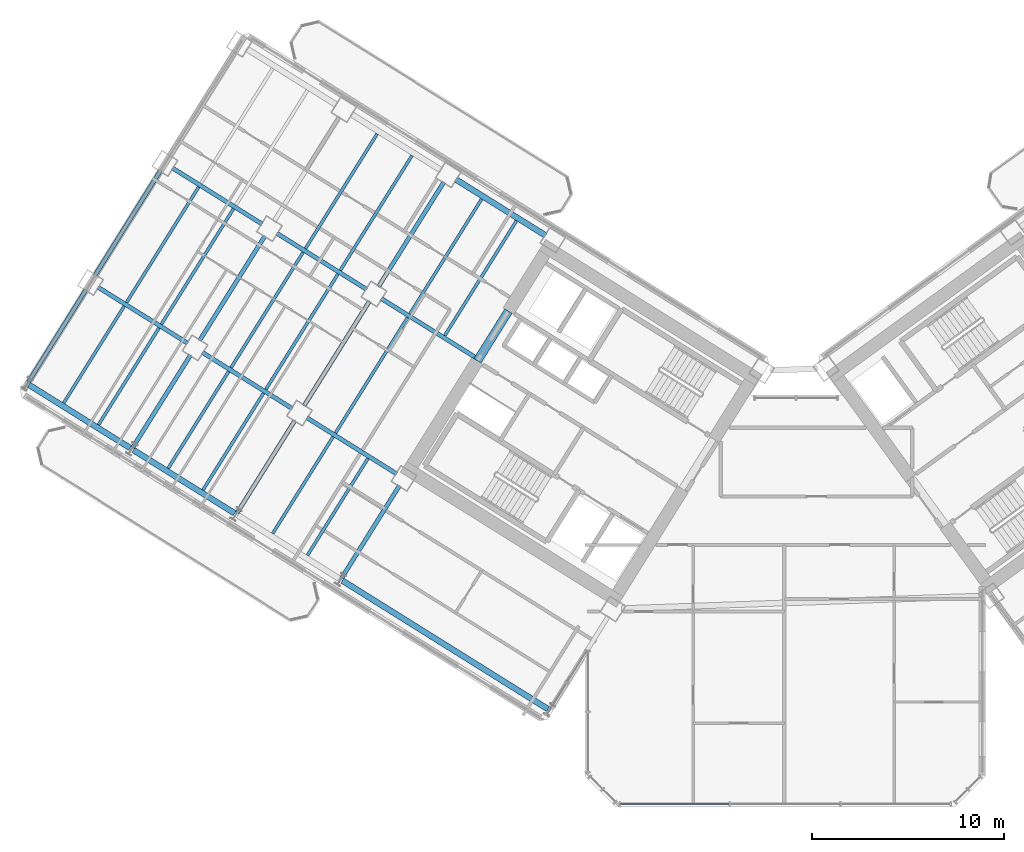
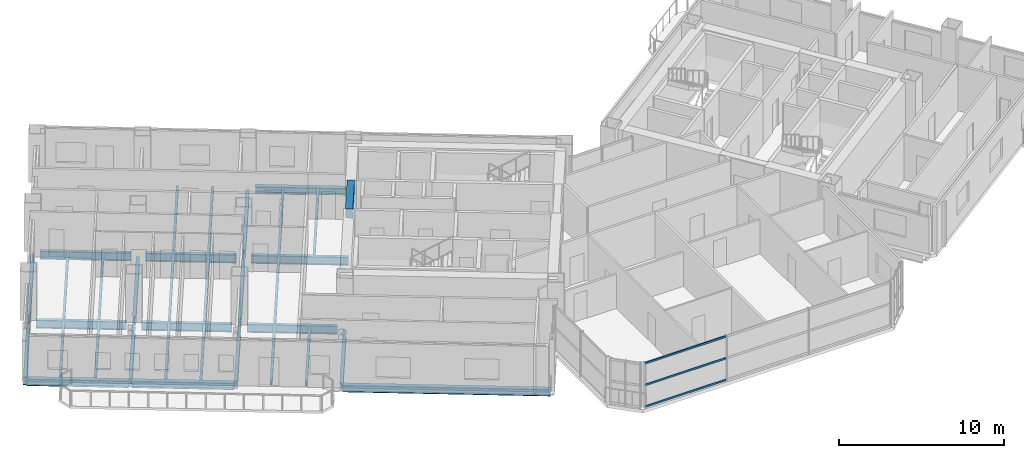
# One storey, part 6 of 28: 34 beams, 3 members, 1 element without a shape of its own.
"""IFC4 building model written with IfcOpenShell, lengths in metres."""

from ifc_helpers import new_model, si_unit, direction, frame, origin, origin_2d, place, context, subcontext, project, spatial, rectangle, hollow_rectangle, i_section, extrude, source, transform, mapped, material, material_profile, profile_set, type_object, element, aggregate, save


model = new_model("IFC4")

# Units and contexts
model_context = context("Model", 3, precision=1e-05, world=origin(), true_north=direction((0.0, 1.0)))
body_context = subcontext(model_context, "Body", "Model", "MODEL_VIEW")
ifc_project = project(units=[si_unit("LENGTHUNIT", "METRE"), si_unit("AREAUNIT", "SQUARE_METRE"), si_unit("VOLUMEUNIT", "CUBIC_METRE"), si_unit("PLANEANGLEUNIT", "RADIAN"), si_unit("MASSUNIT", "GRAM", prefix="KILO")], contexts=[model_context])

# Site, building, storey
site_placement = place(None, origin())
site = spatial("IfcSite", under=ifc_project, at=site_placement, CompositionType="ELEMENT")
building_placement = place(site_placement, origin())
building = spatial("IfcBuilding", under=site, at=building_placement, Name="Tlacorven Tower", CompositionType="ELEMENT")
storey_placement = place(building_placement, frame((0.0, 0.0, 27.60009765625)))
storey = spatial("IfcBuildingStorey", under=building, at=storey_placement, Name="L06", CompositionType="ELEMENT", Elevation=27.60009765625)

# Beams
ifc_material_1 = material(Name="Concrete C60/75", Category="concrete")
ifc_material_profile_1 = material_profile(ifc_material_1, rectangle(XDim=0.449951171875, YDim=0.699951171875, at=origin_2d()), Name="RC 450X700")
ifc_profile_set_1 = profile_set([ifc_material_profile_1], Name="Concrete C60/75")
beam_type_1 = type_object("IfcBeamType", Name="BM-LNT-700", PredefinedType="LINTEL", material=ifc_profile_set_1)
shared_shape_1 = source(origin(), body_context, "Body", "SweptSolid", [
    extrude(rectangle(XDim=0.449951171875, YDim=0.699951171875, at=origin_2d()), origin(), (0.0, 0.0, 1.0), 3.0498046875),
])
beam_1_placement = place(storey_placement, frame((27.622802734375, 27.562255859375, 3.0), z_axis=(-0.529926983584, -0.848043272522, 0.0), x_axis=(0.848043272522, -0.529926983584, 0.0)))
element("IfcBeam", 1, at=beam_1_placement, inside=storey, type_object=beam_type_1, Name="L06 W core coupling lintel beam E2", PredefinedType="LINTEL", context=body_context, shape_type="MappedRepresentation", body=[
    mapped(shared_shape_1, transform((0.0, 0.0, 0.0), scale=1.0)),
])
ifc_material_2 = material(Name="Steel S355J2", Category="steel")
ifc_material_profile_2 = material_profile(ifc_material_2, i_section(OverallWidth=0.300048828125, OverallDepth=0.489990234375, WebThickness=0.011962890625, FlangeThickness=0.02294921875, at=origin_2d()), Name="HEA 500")
ifc_profile_set_2 = profile_set([ifc_material_profile_2], Name="Steel S355J2")
beam_type_2 = type_object("IfcBeamType", Name="BM-SPN-500", PredefinedType="SPANDREL", material=ifc_profile_set_2)
shared_shape_2 = source(origin(), body_context, "Body", "SweptSolid", [
    extrude(i_section(OverallWidth=0.300048828125, OverallDepth=0.489990234375, WebThickness=0.011962890625, FlangeThickness=0.02294921875, at=origin_2d()), origin(), (0.0, 0.0, 1.0), 5.5),
])
beam_2_placement = place(storey_placement, frame((29.54638671875, 31.48974609375, -0.4951171875), z_axis=(-0.848050668838, 0.52991514706, 0.0), x_axis=(-0.52991514706, -0.848050668838, 0.0)))
element("IfcBeam", 2, at=beam_2_placement, inside=storey, type_object=beam_type_2, Name="L06 beam BM-L06-WL1-3", PredefinedType="SPANDREL", context=body_context, shape_type="MappedRepresentation", body=[
    mapped(shared_shape_2, transform((0.0, 0.0, 0.0), scale=1.0)),
])
ifc_material_profile_3 = material_profile(ifc_material_2, i_section(OverallWidth=0.219970703125, OverallDepth=0.60009765625, WebThickness=0.011962890625, FlangeThickness=0.01904296875, at=origin_2d()), Name="IPE 600")
ifc_profile_set_3 = profile_set([ifc_material_profile_3], Name="Steel S355J2")
beam_type_3 = type_object("IfcBeamType", Name="BM-TWR-600", PredefinedType="BEAM", material=ifc_profile_set_3)
shared_shape_3 = source(origin(), body_context, "Body", "SweptSolid", [
    extrude(i_section(OverallWidth=0.219970703125, OverallDepth=0.60009765625, WebThickness=0.011962890625, FlangeThickness=0.01904296875, at=origin_2d()), origin(), (0.0, 0.0, 1.0), 5.909912109375),
])
beam_3_placement = place(storey_placement, frame((26.025634765625, 25.081787109375, -0.550048828125), z_axis=(-0.848047036595, 0.529920959883, 0.0), x_axis=(-0.529920959883, -0.848047036595, 0.0)))
element("IfcBeam", 3, at=beam_3_placement, inside=storey, type_object=beam_type_3, Name="L06 beam BM-L06-WL2-3", PredefinedType="BEAM", context=body_context, shape_type="MappedRepresentation", body=[
    mapped(shared_shape_3, transform((0.0, 0.0, 0.0), scale=1.0)),
])
shared_shape_4 = source(origin(), body_context, "Body", "SweptSolid", [
    extrude(i_section(OverallWidth=0.219970703125, OverallDepth=0.60009765625, WebThickness=0.011962890625, FlangeThickness=0.01904296875, at=origin_2d()), origin(), (0.0, 0.0, 1.0), 5.5),
])
for number, where, z_axis, x_axis, name in (
    (4, (20.25048828125, 28.690673828125, -0.550048828125), (-0.848050668838, 0.52991514706, 0.0), (-0.52991514706, -0.848050668838, 0.0), "L06 beam BM-L06-WL2-4"),
    (5, (14.822998046875, 32.08203125, -0.550048828125), (-0.848050668838, 0.52991514706, 0.0), (-0.52991514706, -0.848050668838, 0.0), "L06 beam BM-L06-WL2-5"),
    (6, (21.8095703125, 19.1083984375, -0.550048828125), (-0.848050668838, 0.52991514706, 0.0), (-0.52991514706, -0.848050668838, 0.0), "L06 beam BM-L06-WL3-3"),
    (7, (16.382080078125, 22.499755859375, -0.550048828125), (-0.848050668838, 0.52991514706, 0.0), (-0.52991514706, -0.848050668838, 0.0), "L06 beam BM-L06-WL3-4"),
    (8, (10.95458984375, 25.891357421875, -0.550048828125), (-0.848050668838, 0.52991514706, 0.0), (-0.52991514706, -0.848050668838, 0.0), "L06 beam BM-L06-WL3-5"),
):
    element("IfcBeam", number, at=place(storey_placement, frame(where, z_axis=z_axis, x_axis=x_axis)), inside=storey, type_object=beam_type_3, Name=name, PredefinedType="BEAM", context=body_context, shape_type="MappedRepresentation", body=[
        mapped(shared_shape_4, transform((0.0, 0.0, 0.0), scale=1.0)),
    ])
shared_shape_5 = source(origin(), body_context, "Body", "SweptSolid", [
    extrude(i_section(OverallWidth=0.300048828125, OverallDepth=0.489990234375, WebThickness=0.011962890625, FlangeThickness=0.02294921875, at=origin_2d()), origin(), (0.0, 0.0, 1.0), 12.599853515625),
])
beam_4_placement = place(storey_placement, frame((29.67578125, 6.882080078125, -0.4951171875), z_axis=(-0.848045108756, 0.529924045043, 0.0), x_axis=(-0.529924045043, -0.848045108756, 0.0)))
element("IfcBeam", 9, at=beam_4_placement, inside=storey, type_object=beam_type_2, Name="L06 beam BM-L06-WL4-1", PredefinedType="SPANDREL", context=body_context, shape_type="MappedRepresentation", body=[
    mapped(shared_shape_5, transform((0.0, 0.0, 0.0), scale=1.0)),
])
shared_shape_6 = source(origin(), body_context, "Body", "SweptSolid", [
    extrude(i_section(OverallWidth=0.300048828125, OverallDepth=0.489990234375, WebThickness=0.011962890625, FlangeThickness=0.02294921875, at=origin_2d()), origin(), (0.0, 0.0, 1.0), 6.199951171875),
])
for number, where, z_axis, x_axis, name in (
    (10, (13.393310546875, 17.056396484375, -0.4951171875), (-0.848033697614, 0.529942306022, 0.0), (-0.529942306022, -0.848033697614, 0.0), "L06 beam BM-L06-WL4-4"),
    (11, (7.9658203125, 20.447998046875, -0.4951171875), (-0.848051394107, 0.529913986372, 0.0), (-0.529913986372, -0.848051394107, 0.0), "L06 beam BM-L06-WL4-5"),
):
    element("IfcBeam", number, at=place(storey_placement, frame(where, z_axis=z_axis, x_axis=x_axis)), inside=storey, type_object=beam_type_2, Name=name, PredefinedType="SPANDREL", context=body_context, shape_type="MappedRepresentation", body=[
        mapped(shared_shape_6, transform((0.0, 0.0, 0.0), scale=1.0)),
    ])
shared_shape_7 = source(origin(), body_context, "Body", "SweptSolid", [
    extrude(i_section(OverallWidth=0.219970703125, OverallDepth=0.60009765625, WebThickness=0.011962890625, FlangeThickness=0.01904296875, at=origin_2d()), origin(), (0.0, 0.0, 1.0), 5.650146484375),
])
for number, where, z_axis, x_axis, name in (
    (12, (21.95263671875, 18.48828125, -0.550048828125), (-0.529929025184, -0.848041996759, 0.0), (0.848041996759, -0.529929025184, 0.0), "L06 beam BM-L06-WT3-2"),
    (13, (16.525146484375, 21.879638671875, -0.550048828125), (-0.529929025184, -0.848041996759, 0.0), (0.848041996759, -0.529929025184, 0.0), "L06 beam BM-L06-WT4-3"),
    (14, (11.09765625, 25.271240234375, -0.550048828125), (-0.529929025184, -0.848041996759, 0.0), (0.848041996759, -0.529929025184, 0.0), "L06 beam BM-L06-WT5-3"),
    (15, (5.670166015625, 28.66259765625, -0.550048828125), (-0.529929025184, -0.848041996759, 0.0), (0.848041996759, -0.529929025184, 0.0), "L06 beam BM-L06-WT6-3"),
):
    element("IfcBeam", number, at=place(storey_placement, frame(where, z_axis=z_axis, x_axis=x_axis)), inside=storey, type_object=beam_type_3, Name=name, PredefinedType="BEAM", context=body_context, shape_type="MappedRepresentation", body=[
        mapped(shared_shape_7, transform((0.0, 0.0, 0.0), scale=1.0)),
    ])
shared_shape_8 = source(origin(), body_context, "Body", "SweptSolid", [
    extrude(i_section(OverallWidth=0.219970703125, OverallDepth=0.60009765625, WebThickness=0.011962890625, FlangeThickness=0.01904296875, at=origin_2d()), origin(), (0.0, 0.0, 1.0), 6.39990234375),
])
for number, where, z_axis, x_axis, name in (
    (16, (24.261962890625, 34.26123046875, -0.550048828125), (-0.529906354247, -0.848056163074, 0.0), (0.848056163074, -0.529906354247, 0.0), "L06 beam BM-L06-WT4-1"),
    (17, (20.3935546875, 28.070556640625, -0.550048828125), (-0.529906354247, -0.848056163074, 0.0), (0.848056163074, -0.529906354247, 0.0), "L06 beam BM-L06-WT4-2"),
):
    element("IfcBeam", number, at=place(storey_placement, frame(where, z_axis=z_axis, x_axis=x_axis)), inside=storey, type_object=beam_type_3, Name=name, PredefinedType="BEAM", context=body_context, shape_type="MappedRepresentation", body=[
        mapped(shared_shape_8, transform((0.0, 0.0, 0.0), scale=1.0)),
    ])
shared_shape_9 = source(origin(), body_context, "Body", "SweptSolid", [
    extrude(i_section(OverallWidth=0.219970703125, OverallDepth=0.60009765625, WebThickness=0.011962890625, FlangeThickness=0.01904296875, at=origin_2d()), origin(), (0.0, 0.0, 1.0), 6.400146484375),
])
for number, where, z_axis, x_axis, name in (
    (18, (14.966064453125, 31.4619140625, -0.550048828125), (-0.529933789039, -0.848039019877, 0.0), (0.848039019877, -0.529933789039, 0.0), "L06 beam BM-L06-WT5-2"),
    (19, (9.53857421875, 34.853515625, -0.550048828125), (-0.529933789039, -0.848039019877, 0.0), (0.848039019877, -0.529933789039, 0.0), "L06 beam BM-L06-WT6-2"),
):
    element("IfcBeam", number, at=place(storey_placement, frame(where, z_axis=z_axis, x_axis=x_axis)), inside=storey, type_object=beam_type_3, Name=name, PredefinedType="BEAM", context=body_context, shape_type="MappedRepresentation", body=[
        mapped(shared_shape_9, transform((0.0, 0.0, 0.0), scale=1.0)),
    ])
ifc_material_profile_4 = material_profile(ifc_material_2, i_section(OverallWidth=0.159912109375, OverallDepth=0.330078125, WebThickness=0.007568359375, FlangeThickness=0.011474609375, at=origin_2d()), Name="IPE 330")
ifc_profile_set_4 = profile_set([ifc_material_profile_4], Name="Steel S355J2")
beam_type_4 = type_object("IfcBeamType", Name="BM-JST-330", PredefinedType="JOIST", material=ifc_profile_set_4)
shared_shape_10 = source(origin(), body_context, "Body", "SweptSolid", [
    extrude(i_section(OverallWidth=0.159912109375, OverallDepth=0.330078125, WebThickness=0.007568359375, FlangeThickness=0.011474609375, at=origin_2d()), origin(), (0.0, 0.0, 1.0), 7.030029296875),
])
for number, where, z_axis, x_axis, name in (
    (20, (28.03662109375, 32.25048828125, -0.4150390625), (-0.529911532383, -0.848052927504, 0.0), (0.848052927504, -0.529911532383, 0.0), "L06 beam BM-L06-WJ3-1-1"),
    (21, (26.2275390625, 33.380859375, -0.4150390625), (-0.529927139185, -0.84804317529, 0.0), (0.84804317529, -0.529927139185, 0.0), "L06 beam BM-L06-WJ3-1-2"),
    (22, (22.609130859375, 35.641845703125, -0.4150390625), (-0.529927139185, -0.84804317529, 0.0), (0.84804317529, -0.529927139185, 0.0), "L06 beam BM-L06-WJ4-1-1"),
    (23, (20.800048828125, 36.7724609375, -0.4150390625), (-0.529911532383, -0.848052927504, 0.0), (0.848052927504, -0.529911532383, 0.0), "L06 beam BM-L06-WJ4-1-2"),
):
    element("IfcBeam", number, at=place(storey_placement, frame(where, z_axis=z_axis, x_axis=x_axis)), inside=storey, type_object=beam_type_4, Name=name, PredefinedType="JOIST", context=body_context, shape_type="MappedRepresentation", body=[
        mapped(shared_shape_10, transform((0.0, 0.0, 0.0), scale=1.0)),
    ])
shared_shape_11 = source(origin(), body_context, "Body", "SweptSolid", [
    extrude(i_section(OverallWidth=0.159912109375, OverallDepth=0.330078125, WebThickness=0.007568359375, FlangeThickness=0.011474609375, at=origin_2d()), origin(), (0.0, 0.0, 1.0), 5.93017578125),
])
for number, where, z_axis, x_axis, name in (
    (24, (20.321044921875, 19.90283203125, -0.4150390625), (-0.529899018132, -0.848060746989, 0.0), (0.848060746989, -0.529899018132, 0.0), "L06 beam BM-L06-WJ3-3-1"),
    (25, (18.51171875, 21.033447265625, -0.4150390625), (-0.529899018132, -0.848060746989, 0.0), (0.848060746989, -0.529899018132, 0.0), "L06 beam BM-L06-WJ3-3-2"),
    (26, (9.466064453125, 26.685791015625, -0.4150390625), (-0.529928626913, -0.848042245633, 0.0), (0.848042245633, -0.529928626913, 0.0), "L06 beam BM-L06-WJ5-3-1"),
    (27, (7.65673828125, 27.81640625, -0.4150390625), (-0.529899018132, -0.848060746989, 0.0), (0.848060746989, -0.529899018132, 0.0), "L06 beam BM-L06-WJ5-3-2"),
):
    element("IfcBeam", number, at=place(storey_placement, frame(where, z_axis=z_axis, x_axis=x_axis)), inside=storey, type_object=beam_type_4, Name=name, PredefinedType="JOIST", context=body_context, shape_type="MappedRepresentation", body=[
        mapped(shared_shape_11, transform((0.0, 0.0, 0.0), scale=1.0)),
    ])
shared_shape_12 = source(origin(), body_context, "Body", "SweptSolid", [
    extrude(i_section(OverallWidth=0.159912109375, OverallDepth=0.330078125, WebThickness=0.007568359375, FlangeThickness=0.011474609375, at=origin_2d()), origin(), (0.0, 0.0, 1.0), 7.070068359375),
])
for number, where, z_axis, x_axis, name in (
    (28, (22.380126953125, 27.22412109375, -0.4150390625), (-0.529890296319, -0.84806619663, 0.0), (0.84806619663, -0.529890296319, 0.0), "L06 beam BM-L06-WJ3-2-2"),
    (29, (18.761962890625, 29.485107421875, -0.4150390625), (-0.529915131461, -0.848050678585, 0.0), (0.848050678585, -0.529915131461, 0.0), "L06 beam BM-L06-WJ4-2-1"),
    (30, (13.33447265625, 32.87646484375, -0.4150390625), (-0.529930649952, -0.848040981463, 0.0), (0.848040981463, -0.529930649952, 0.0), "L06 beam BM-L06-WJ5-2-1"),
    (31, (11.525146484375, 34.007080078125, -0.4150390625), (-0.529930649952, -0.848040981463, 0.0), (0.848040981463, -0.529930649952, 0.0), "L06 beam BM-L06-WJ5-2-2"),
):
    element("IfcBeam", number, at=place(storey_placement, frame(where, z_axis=z_axis, x_axis=x_axis)), inside=storey, type_object=beam_type_4, Name=name, PredefinedType="JOIST", context=body_context, shape_type="MappedRepresentation", body=[
        mapped(shared_shape_12, transform((0.0, 0.0, 0.0), scale=1.0)),
    ])
shared_shape_13 = source(origin(), body_context, "Body", "SweptSolid", [
    extrude(i_section(OverallWidth=0.159912109375, OverallDepth=0.330078125, WebThickness=0.007568359375, FlangeThickness=0.011474609375, at=origin_2d()), origin(), (0.0, 0.0, 1.0), 5.929931640625),
])
for number, where, z_axis, x_axis, name in (
    (32, (14.8935546875, 23.294189453125, -0.4150390625), (-0.529917519894, -0.848049186138, 0.0), (0.848049186138, -0.529917519894, 0.0), "L06 beam BM-L06-WJ4-3-1"),
    (33, (13.084228515625, 24.4248046875, -0.4150390625), (-0.529917519894, -0.848049186138, 0.0), (0.848049186138, -0.529917519894, 0.0), "L06 beam BM-L06-WJ4-3-2"),
):
    element("IfcBeam", number, at=place(storey_placement, frame(where, z_axis=z_axis, x_axis=x_axis)), inside=storey, type_object=beam_type_4, Name=name, PredefinedType="JOIST", context=body_context, shape_type="MappedRepresentation", body=[
        mapped(shared_shape_13, transform((0.0, 0.0, 0.0), scale=1.0)),
    ])
shared_shape_14 = source(origin(), body_context, "Body", "SweptSolid", [
    extrude(i_section(OverallWidth=0.159912109375, OverallDepth=0.330078125, WebThickness=0.007568359375, FlangeThickness=0.011474609375, at=origin_2d()), origin(), (0.0, 0.0, 1.0), 7.06982421875),
])
beam_5_placement = place(storey_placement, frame((16.95263671875, 30.615478515625, -0.4150390625), z_axis=(-0.52990581465, -0.84805650024, 0.0), x_axis=(0.84805650024, -0.52990581465, 0.0)))
element("IfcBeam", 34, at=beam_5_placement, inside=storey, type_object=beam_type_4, Name="L06 beam BM-L06-WJ4-2-2", PredefinedType="JOIST", context=body_context, shape_type="MappedRepresentation", body=[
    mapped(shared_shape_14, transform((0.0, 0.0, 0.0), scale=1.0)),
])

# Curtain wall, members
ifc_material_3 = material(Name="Dark solar low-E double glazing in aluminium frame", Category="aluminium")
curtain_wall_type = type_object("IfcCurtainWallType", Name="CW-TWR-LOW", PredefinedType="USERDEFINED", material=ifc_material_3)
curtain_wall_placement = place(storey_placement, origin())
curtain_wall = element("IfcCurtainWall", 35, at=curtain_wall_placement, inside=storey, type_object=curtain_wall_type, Name="L06 CW-TWR-LOW Curtain Wall 28", ObjectType="UNITISED CURTAIN WALL", PredefinedType="USERDEFINED")
ifc_material_4 = material(Name="Aluminium 6063-T6 anodised", Category="aluminium")
ifc_material_profile_5 = material_profile(ifc_material_4, hollow_rectangle(XDim=0.06005859375, YDim=0.139892578125, WallThickness=0.00390625, at=origin_2d()), Name="ALU TRANSOM 60X140")
ifc_profile_set_5 = profile_set([ifc_material_profile_5], Name="Aluminium 6063-T6 anodised")
member_type = type_object("IfcMemberType", Name="CWT-02", PredefinedType="USERDEFINED", material=ifc_profile_set_5)
shared_shape_15 = source(origin(), body_context, "Body", "SweptSolid", [
    extrude(hollow_rectangle(XDim=0.06005859375, YDim=0.139892578125, WallThickness=0.00390625, at=origin_2d()), origin(), (0.0, 0.0, 1.0), 5.6748046875),
])
member_1_placement = place(storey_placement, frame((39.09912109375, 1.9599609375, 0.06982421875), z_axis=(-1.0, 0.0, 0.0), x_axis=(0.0, -1.0, 0.0)))
member_1 = element("IfcMember", 36, at=member_1_placement, type_object=member_type, Name="CW-L06-028 Transom 7", ObjectType="TRANSOM", PredefinedType="USERDEFINED", context=body_context, shape_type="MappedRepresentation", body=[
    mapped(shared_shape_15, transform((0.0, 0.0, 0.0), scale=1.0)),
])
member_2_placement = place(storey_placement, frame((39.09912109375, 1.9599609375, 1.6748046875), z_axis=(-1.0, 0.0, 0.0), x_axis=(0.0, -1.0, 0.0)))
member_2 = element("IfcMember", 37, at=member_2_placement, type_object=member_type, Name="CW-L06-028 Transom 8", ObjectType="TRANSOM", PredefinedType="USERDEFINED", context=body_context, shape_type="MappedRepresentation", body=[
    mapped(shared_shape_15, transform((0.0, 0.0, 0.0), scale=1.0)),
])
member_3_placement = place(storey_placement, frame((39.09912109375, 1.9599609375, 3.27978515625), z_axis=(-1.0, 0.0, 0.0), x_axis=(0.0, -1.0, 0.0)))
member_3 = element("IfcMember", 38, at=member_3_placement, type_object=member_type, Name="CW-L06-028 Transom 9", ObjectType="TRANSOM", PredefinedType="USERDEFINED", context=body_context, shape_type="MappedRepresentation", body=[
    mapped(shared_shape_15, transform((0.0, 0.0, 0.0), scale=1.0)),
])
aggregate(curtain_wall, [member_1, member_2, member_3])

save(model, "model.ifc")
